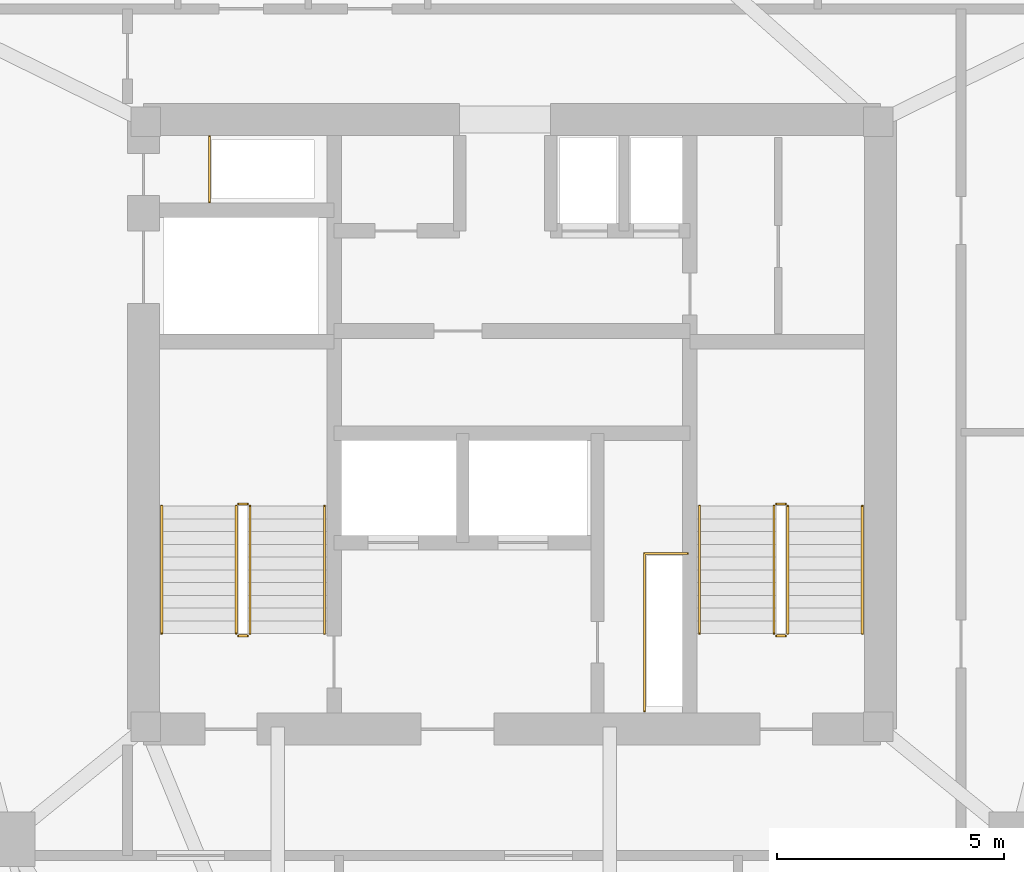
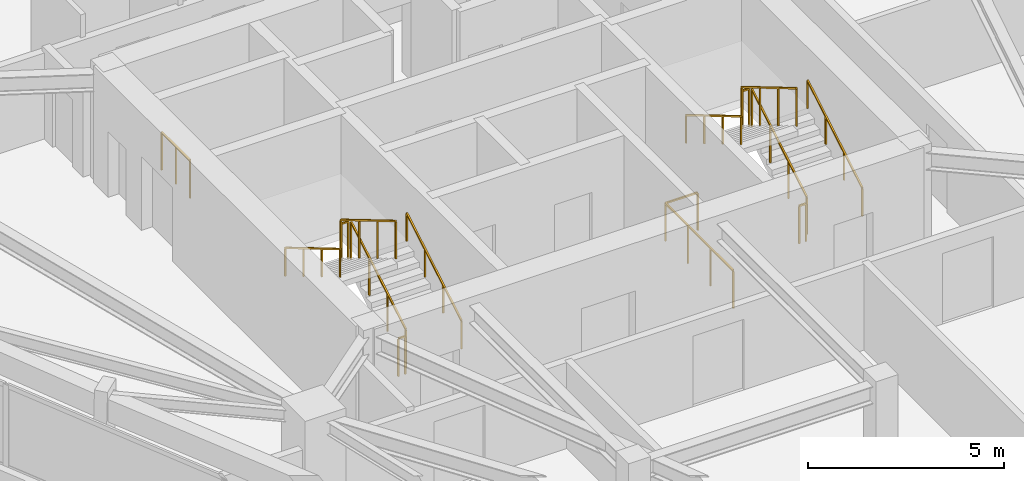
# One storey, part 11 of 11: 14 railings.
"""IFC4 building model written with IfcOpenShell, lengths in metres."""

from ifc_helpers import new_model, si_unit, direction, frame, origin, origin_2d, place, context, subcontext, project, spatial, rectangle, extrude, material, type_object, element, save


model = new_model("IFC4")

# Units and contexts
model_context = context("Model", 3, precision=1e-05, world=origin(), true_north=direction((0.0, 1.0)))
body_context = subcontext(model_context, "Body", "Model", "MODEL_VIEW")
ifc_project = project(units=[si_unit("LENGTHUNIT", "METRE"), si_unit("AREAUNIT", "SQUARE_METRE"), si_unit("VOLUMEUNIT", "CUBIC_METRE"), si_unit("PLANEANGLEUNIT", "RADIAN"), si_unit("MASSUNIT", "GRAM", prefix="KILO")], contexts=[model_context])

# Site, building, storey
site_placement = place(None, origin())
site = spatial("IfcSite", under=ifc_project, at=site_placement, CompositionType="ELEMENT")
building_placement = place(site_placement, origin())
building = spatial("IfcBuilding", under=site, at=building_placement, Name="Talyreon Biosciences Tower", CompositionType="ELEMENT")
storey_placement = place(building_placement, frame((0.0, 0.0, 242.550048828125)))
storey = spatial("IfcBuildingStorey", under=building, at=storey_placement, Name="L64", CompositionType="ELEMENT", Elevation=242.550048828125)

# Railings
ifc_material_1 = material(Name="Brushed stainless-steel tubular handrail", Category="steel")
railing_type_1 = type_object("IfcRailingType", Name="StairWallHandrail_900", PredefinedType="HANDRAIL", material=ifc_material_1)
railing_1_placement = place(storey_placement, frame((61.8798828125, 63.39990234375, 0.165771484375)))
element("IfcRailing", 1, at=railing_1_placement, inside=storey, type_object=railing_type_1, Name="L64 ST-1 stair handrail 1", PredefinedType="HANDRAIL", context=body_context, shape_type="SweptSolid", body=[
    extrude(rectangle(XDim=0.048095703125, YDim=0.048095703125, at=origin_2d()), frame((0.0, 0.0, 0.8759765625), z_axis=(0.0, 0.860306154799, 0.50977771628), x_axis=(-1.0, 0.0, 0.0)), (0.0, 0.0, 1.0), 3.254638671875),
    extrude(rectangle(XDim=0.0419921875, YDim=0.0419921875, at=origin_2d()), origin(), (0.0, 0.0, 1.0), 0.851806640625),
    extrude(rectangle(XDim=0.0419921875, YDim=0.0419921875, at=origin_2d()), frame((0.0, 0.933349609375, 0.552978515625)), (0.0, 0.0, 1.0), 0.851806640625),
    extrude(rectangle(XDim=0.0419921875, YDim=0.0419921875, at=origin_2d()), frame((0.0, 1.86669921875, 1.106201171875)), (0.0, 0.0, 1.0), 0.851806640625),
    extrude(rectangle(XDim=0.0419921875, YDim=0.0419921875, at=origin_2d()), frame((0.0, 2.800048828125, 1.6591796875)), (0.0, 0.0, 1.0), 0.851806640625),
])
railing_2_placement = place(storey_placement, frame((58.300048828125, 66.199951171875, 1.990966796875)))
element("IfcRailing", 2, at=railing_2_placement, inside=storey, type_object=railing_type_1, Name="L64 ST-1 stair handrail 2", PredefinedType="HANDRAIL", context=body_context, shape_type="SweptSolid", body=[
    extrude(rectangle(XDim=0.048095703125, YDim=0.048095703125, at=origin_2d()), frame((0.0, 0.0, 0.8759765625), z_axis=(0.0, -0.860339051648, 0.50972219513), x_axis=(1.0, 0.0, 0.0)), (0.0, 0.0, 1.0), 3.254638671875),
    extrude(rectangle(XDim=0.0419921875, YDim=0.0419921875, at=origin_2d()), origin(), (0.0, 0.0, 1.0), 0.851806640625),
    extrude(rectangle(XDim=0.0419921875, YDim=0.0419921875, at=origin_2d()), frame((0.0, -0.933349609375, 0.552978515625)), (0.0, 0.0, 1.0), 0.851806640625),
    extrude(rectangle(XDim=0.0419921875, YDim=0.0419921875, at=origin_2d()), frame((0.0, -1.86669921875, 1.10595703125)), (0.0, 0.0, 1.0), 0.851806640625),
    extrude(rectangle(XDim=0.0419921875, YDim=0.0419921875, at=origin_2d()), frame((0.0, -2.800048828125, 1.658935546875)), (0.0, 0.0, 1.0), 0.851806640625),
])
railing_3_placement = place(storey_placement, frame((73.699951171875, 63.39990234375, 0.165771484375)))
element("IfcRailing", 3, at=railing_3_placement, inside=storey, type_object=railing_type_1, Name="L64 ST-2 stair handrail 1", PredefinedType="HANDRAIL", context=body_context, shape_type="SweptSolid", body=[
    extrude(rectangle(XDim=0.048095703125, YDim=0.048095703125, at=origin_2d()), frame((0.0, 0.0, 0.8759765625), z_axis=(0.0, 0.860306154799, 0.50977771628), x_axis=(-1.0, 0.0, 0.0)), (0.0, 0.0, 1.0), 3.254638671875),
    extrude(rectangle(XDim=0.0419921875, YDim=0.0419921875, at=origin_2d()), origin(), (0.0, 0.0, 1.0), 0.851806640625),
    extrude(rectangle(XDim=0.0419921875, YDim=0.0419921875, at=origin_2d()), frame((0.0, 0.933349609375, 0.552978515625)), (0.0, 0.0, 1.0), 0.851806640625),
    extrude(rectangle(XDim=0.0419921875, YDim=0.0419921875, at=origin_2d()), frame((0.0, 1.86669921875, 1.106201171875)), (0.0, 0.0, 1.0), 0.851806640625),
    extrude(rectangle(XDim=0.0419921875, YDim=0.0419921875, at=origin_2d()), frame((0.0, 2.800048828125, 1.6591796875)), (0.0, 0.0, 1.0), 0.851806640625),
])
railing_4_placement = place(storey_placement, frame((70.1201171875, 66.199951171875, 1.990966796875)))
element("IfcRailing", 4, at=railing_4_placement, inside=storey, type_object=railing_type_1, Name="L64 ST-2 stair handrail 2", PredefinedType="HANDRAIL", context=body_context, shape_type="SweptSolid", body=[
    extrude(rectangle(XDim=0.048095703125, YDim=0.048095703125, at=origin_2d()), frame((0.0, 0.0, 0.8759765625), z_axis=(0.0, -0.860339051648, 0.50972219513), x_axis=(1.0, 0.0, 0.0)), (0.0, 0.0, 1.0), 3.254638671875),
    extrude(rectangle(XDim=0.0419921875, YDim=0.0419921875, at=origin_2d()), origin(), (0.0, 0.0, 1.0), 0.851806640625),
    extrude(rectangle(XDim=0.0419921875, YDim=0.0419921875, at=origin_2d()), frame((0.0, -0.933349609375, 0.552978515625)), (0.0, 0.0, 1.0), 0.851806640625),
    extrude(rectangle(XDim=0.0419921875, YDim=0.0419921875, at=origin_2d()), frame((0.0, -1.86669921875, 1.10595703125)), (0.0, 0.0, 1.0), 0.851806640625),
    extrude(rectangle(XDim=0.0419921875, YDim=0.0419921875, at=origin_2d()), frame((0.0, -2.800048828125, 1.658935546875)), (0.0, 0.0, 1.0), 0.851806640625),
])
ifc_material_2 = material(Name="Painted galvanised steel post-and-rail balustrade", Category="steel")
railing_type_2 = type_object("IfcRailingType", Name="TerraceStairGuard_1200", PredefinedType="GUARDRAIL", material=ifc_material_2)
railing_5_placement = place(storey_placement, frame((60.239990234375, 63.39990234375, 0.165771484375)))
element("IfcRailing", 5, at=railing_5_placement, inside=storey, type_object=railing_type_2, Name="L64 ST-1 stair guard 1", PredefinedType="GUARDRAIL", context=body_context, shape_type="SweptSolid", body=[
    extrude(rectangle(XDim=0.048095703125, YDim=0.048095703125, at=origin_2d()), frame((0.0, 0.0, 1.17578125), z_axis=(0.0, 0.860306154799, 0.50977771628), x_axis=(-1.0, 0.0, 0.0)), (0.0, 0.0, 1.0), 3.254638671875),
    extrude(rectangle(XDim=0.0419921875, YDim=0.0419921875, at=origin_2d()), origin(), (0.0, 0.0, 1.0), 1.15185546875),
    extrude(rectangle(XDim=0.0419921875, YDim=0.0419921875, at=origin_2d()), frame((0.0, 0.933349609375, 0.552978515625)), (0.0, 0.0, 1.0), 1.15185546875),
    extrude(rectangle(XDim=0.0419921875, YDim=0.0419921875, at=origin_2d()), frame((0.0, 1.86669921875, 1.106201171875)), (0.0, 0.0, 1.0), 1.15185546875),
    extrude(rectangle(XDim=0.0419921875, YDim=0.0419921875, at=origin_2d()), frame((0.0, 2.800048828125, 1.6591796875)), (0.0, 0.0, 1.0), 1.15185546875),
])
railing_6_placement = place(storey_placement, frame((60.18994140625, 66.25, 1.824951171875)))
element("IfcRailing", 6, at=railing_6_placement, inside=storey, type_object=railing_type_2, Name="L64 ST-1 stair guard 2", PredefinedType="GUARDRAIL", context=body_context, shape_type="SweptSolid", body=[
    extrude(rectangle(XDim=0.048095703125, YDim=0.048095703125, at=origin_2d()), frame((0.0, 0.0, 1.17578125), z_axis=(-1.0, 0.0, 0.0), x_axis=(0.0, -1.0, 0.0)), (0.0, 0.0, 1.0), 0.199951171875),
    extrude(rectangle(XDim=0.0419921875, YDim=0.0419921875, at=origin_2d()), origin(), (0.0, 0.0, 1.0), 1.15185546875),
    extrude(rectangle(XDim=0.0419921875, YDim=0.0419921875, at=origin_2d()), frame((-0.199951171875, 0.0, 0.0)), (0.0, 0.0, 1.0), 1.15185546875),
])
railing_7_placement = place(storey_placement, frame((59.93994140625, 66.199951171875, 1.990966796875)))
element("IfcRailing", 7, at=railing_7_placement, inside=storey, type_object=railing_type_2, Name="L64 ST-1 stair guard 3", PredefinedType="GUARDRAIL", context=body_context, shape_type="SweptSolid", body=[
    extrude(rectangle(XDim=0.048095703125, YDim=0.048095703125, at=origin_2d()), frame((0.0, 0.0, 1.17578125), z_axis=(0.0, -0.860339051648, 0.50972219513), x_axis=(1.0, 0.0, 0.0)), (0.0, 0.0, 1.0), 3.254638671875),
    extrude(rectangle(XDim=0.0419921875, YDim=0.0419921875, at=origin_2d()), origin(), (0.0, 0.0, 1.0), 1.15185546875),
    extrude(rectangle(XDim=0.0419921875, YDim=0.0419921875, at=origin_2d()), frame((0.0, -0.933349609375, 0.552978515625)), (0.0, 0.0, 1.0), 1.15185546875),
    extrude(rectangle(XDim=0.0419921875, YDim=0.0419921875, at=origin_2d()), frame((0.0, -1.86669921875, 1.10595703125)), (0.0, 0.0, 1.0), 1.15185546875),
    extrude(rectangle(XDim=0.0419921875, YDim=0.0419921875, at=origin_2d()), frame((0.0, -2.800048828125, 1.658935546875)), (0.0, 0.0, 1.0), 1.15185546875),
])
railing_8_placement = place(storey_placement, frame((60.18994140625, 63.35009765625, 0.0)))
element("IfcRailing", 8, at=railing_8_placement, inside=storey, type_object=railing_type_2, Name="L64 ST-1 stair guard 4", PredefinedType="GUARDRAIL", context=body_context, shape_type="SweptSolid", body=[
    extrude(rectangle(XDim=0.048095703125, YDim=0.048095703125, at=origin_2d()), frame((0.0, 0.0, 1.17578125), z_axis=(-1.0, 0.0, 0.0), x_axis=(0.0, -1.0, 0.0)), (0.0, 0.0, 1.0), 0.199951171875),
    extrude(rectangle(XDim=0.0419921875, YDim=0.0419921875, at=origin_2d()), origin(), (0.0, 0.0, 1.0), 1.15185546875),
    extrude(rectangle(XDim=0.0419921875, YDim=0.0419921875, at=origin_2d()), frame((-0.199951171875, 0.0, 0.0)), (0.0, 0.0, 1.0), 1.15185546875),
])
railing_9_placement = place(storey_placement, frame((72.06005859375, 63.39990234375, 0.165771484375)))
element("IfcRailing", 9, at=railing_9_placement, inside=storey, type_object=railing_type_2, Name="L64 ST-2 stair guard 1", PredefinedType="GUARDRAIL", context=body_context, shape_type="SweptSolid", body=[
    extrude(rectangle(XDim=0.048095703125, YDim=0.048095703125, at=origin_2d()), frame((0.0, 0.0, 1.17578125), z_axis=(0.0, 0.860306154799, 0.50977771628), x_axis=(-1.0, 0.0, 0.0)), (0.0, 0.0, 1.0), 3.254638671875),
    extrude(rectangle(XDim=0.0419921875, YDim=0.0419921875, at=origin_2d()), origin(), (0.0, 0.0, 1.0), 1.15185546875),
    extrude(rectangle(XDim=0.0419921875, YDim=0.0419921875, at=origin_2d()), frame((0.0, 0.933349609375, 0.552978515625)), (0.0, 0.0, 1.0), 1.15185546875),
    extrude(rectangle(XDim=0.0419921875, YDim=0.0419921875, at=origin_2d()), frame((0.0, 1.86669921875, 1.106201171875)), (0.0, 0.0, 1.0), 1.15185546875),
    extrude(rectangle(XDim=0.0419921875, YDim=0.0419921875, at=origin_2d()), frame((0.0, 2.800048828125, 1.6591796875)), (0.0, 0.0, 1.0), 1.15185546875),
])
railing_10_placement = place(storey_placement, frame((72.010009765625, 66.25, 1.824951171875)))
element("IfcRailing", 10, at=railing_10_placement, inside=storey, type_object=railing_type_2, Name="L64 ST-2 stair guard 2", PredefinedType="GUARDRAIL", context=body_context, shape_type="SweptSolid", body=[
    extrude(rectangle(XDim=0.048095703125, YDim=0.048095703125, at=origin_2d()), frame((0.0, 0.0, 1.17578125), z_axis=(-1.0, 0.0, 0.0), x_axis=(0.0, -1.0, 0.0)), (0.0, 0.0, 1.0), 0.199951171875),
    extrude(rectangle(XDim=0.0419921875, YDim=0.0419921875, at=origin_2d()), origin(), (0.0, 0.0, 1.0), 1.15185546875),
    extrude(rectangle(XDim=0.0419921875, YDim=0.0419921875, at=origin_2d()), frame((-0.199951171875, 0.0, 0.0)), (0.0, 0.0, 1.0), 1.15185546875),
])
railing_11_placement = place(storey_placement, frame((71.760009765625, 66.199951171875, 1.990966796875)))
element("IfcRailing", 11, at=railing_11_placement, inside=storey, type_object=railing_type_2, Name="L64 ST-2 stair guard 3", PredefinedType="GUARDRAIL", context=body_context, shape_type="SweptSolid", body=[
    extrude(rectangle(XDim=0.048095703125, YDim=0.048095703125, at=origin_2d()), frame((0.0, 0.0, 1.17578125), z_axis=(0.0, -0.860339051648, 0.50972219513), x_axis=(1.0, 0.0, 0.0)), (0.0, 0.0, 1.0), 3.254638671875),
    extrude(rectangle(XDim=0.0419921875, YDim=0.0419921875, at=origin_2d()), origin(), (0.0, 0.0, 1.0), 1.15185546875),
    extrude(rectangle(XDim=0.0419921875, YDim=0.0419921875, at=origin_2d()), frame((0.0, -0.933349609375, 0.552978515625)), (0.0, 0.0, 1.0), 1.15185546875),
    extrude(rectangle(XDim=0.0419921875, YDim=0.0419921875, at=origin_2d()), frame((0.0, -1.86669921875, 1.10595703125)), (0.0, 0.0, 1.0), 1.15185546875),
    extrude(rectangle(XDim=0.0419921875, YDim=0.0419921875, at=origin_2d()), frame((0.0, -2.800048828125, 1.658935546875)), (0.0, 0.0, 1.0), 1.15185546875),
])
railing_12_placement = place(storey_placement, frame((72.010009765625, 63.35009765625, 0.0)))
element("IfcRailing", 12, at=railing_12_placement, inside=storey, type_object=railing_type_2, Name="L64 ST-2 stair guard 4", PredefinedType="GUARDRAIL", context=body_context, shape_type="SweptSolid", body=[
    extrude(rectangle(XDim=0.048095703125, YDim=0.048095703125, at=origin_2d()), frame((0.0, 0.0, 1.17578125), z_axis=(-1.0, 0.0, 0.0), x_axis=(0.0, -1.0, 0.0)), (0.0, 0.0, 1.0), 0.199951171875),
    extrude(rectangle(XDim=0.0419921875, YDim=0.0419921875, at=origin_2d()), origin(), (0.0, 0.0, 1.0), 1.15185546875),
    extrude(rectangle(XDim=0.0419921875, YDim=0.0419921875, at=origin_2d()), frame((-0.199951171875, 0.0, 0.0)), (0.0, 0.0, 1.0), 1.15185546875),
])
railing_13_placement = place(storey_placement, frame((59.35009765625, 72.8798828125, 0.0)))
element("IfcRailing", 13, at=railing_13_placement, inside=storey, type_object=railing_type_2, Name="L64 Exhaust Riser Maintenance Guardrail", PredefinedType="GUARDRAIL", context=body_context, shape_type="SweptSolid", body=[
    extrude(rectangle(XDim=0.048095703125, YDim=0.048095703125, at=origin_2d()), frame((0.0, 0.0, 1.17578125), z_axis=(0.0, 1.0, 0.0), x_axis=(-1.0, 0.0, 0.0)), (0.0, 0.0, 1.0), 1.4501953125),
    extrude(rectangle(XDim=0.0419921875, YDim=0.0419921875, at=origin_2d()), origin(), (0.0, 0.0, 1.0), 1.15185546875),
    extrude(rectangle(XDim=0.0419921875, YDim=0.0419921875, at=origin_2d()), frame((0.0, 0.72509765625, 0.0)), (0.0, 0.0, 1.0), 1.15185546875),
    extrude(rectangle(XDim=0.0419921875, YDim=0.0419921875, at=origin_2d()), frame((0.0, 1.4501953125, 0.0)), (0.0, 0.0, 1.0), 1.15185546875),
])
railing_14_placement = place(storey_placement, frame((68.909912109375, 61.699951171875, 0.0)))
element("IfcRailing", 14, at=railing_14_placement, inside=storey, type_object=railing_type_2, Name="L64 Electrical Riser Maintenance Guardrail", PredefinedType="GUARDRAIL", context=body_context, shape_type="SweptSolid", body=[
    extrude(rectangle(XDim=0.048095703125, YDim=0.048095703125, at=origin_2d()), frame((0.0, 0.0, 1.17578125), z_axis=(0.0, 1.0, 0.0), x_axis=(-1.0, 0.0, 0.0)), (0.0, 0.0, 1.0), 3.4599609375),
    extrude(rectangle(XDim=0.048095703125, YDim=0.048095703125, at=origin_2d()), frame((0.0, 3.4599609375, 1.17578125), z_axis=(1.0, 0.0, 0.0), x_axis=(0.0, 1.0, 0.0)), (0.0, 0.0, 1.0), 0.9501953125),
    extrude(rectangle(XDim=0.0419921875, YDim=0.0419921875, at=origin_2d()), origin(), (0.0, 0.0, 1.0), 1.15185546875),
    extrude(rectangle(XDim=0.0419921875, YDim=0.0419921875, at=origin_2d()), frame((0.0, 1.1533203125, 0.0)), (0.0, 0.0, 1.0), 1.15185546875),
    extrude(rectangle(XDim=0.0419921875, YDim=0.0419921875, at=origin_2d()), frame((0.0, 2.306640625, 0.0)), (0.0, 0.0, 1.0), 1.15185546875),
    extrude(rectangle(XDim=0.0419921875, YDim=0.0419921875, at=origin_2d()), frame((0.0, 3.4599609375, 0.0)), (0.0, 0.0, 1.0), 1.15185546875),
    extrude(rectangle(XDim=0.0419921875, YDim=0.0419921875, at=origin_2d()), frame((0.9501953125, 3.4599609375, 0.0)), (0.0, 0.0, 1.0), 1.15185546875),
])

save(model, "model.ifc")
